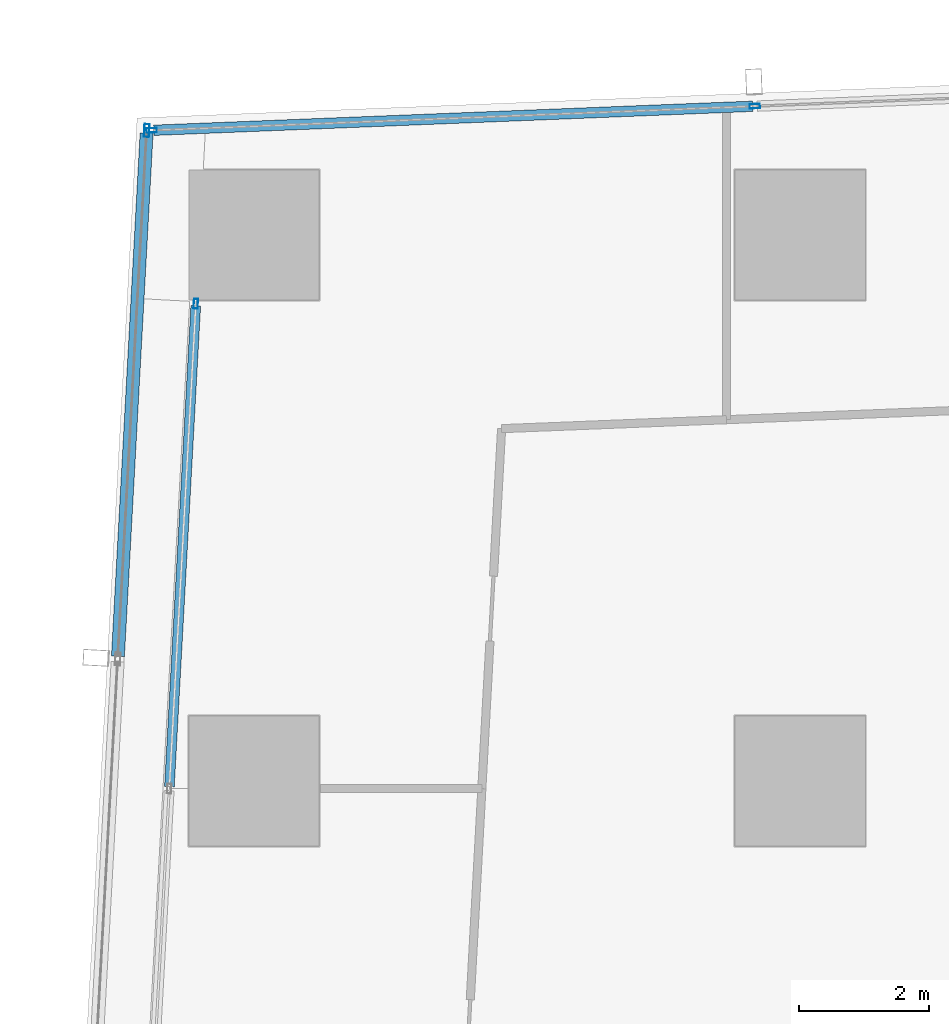
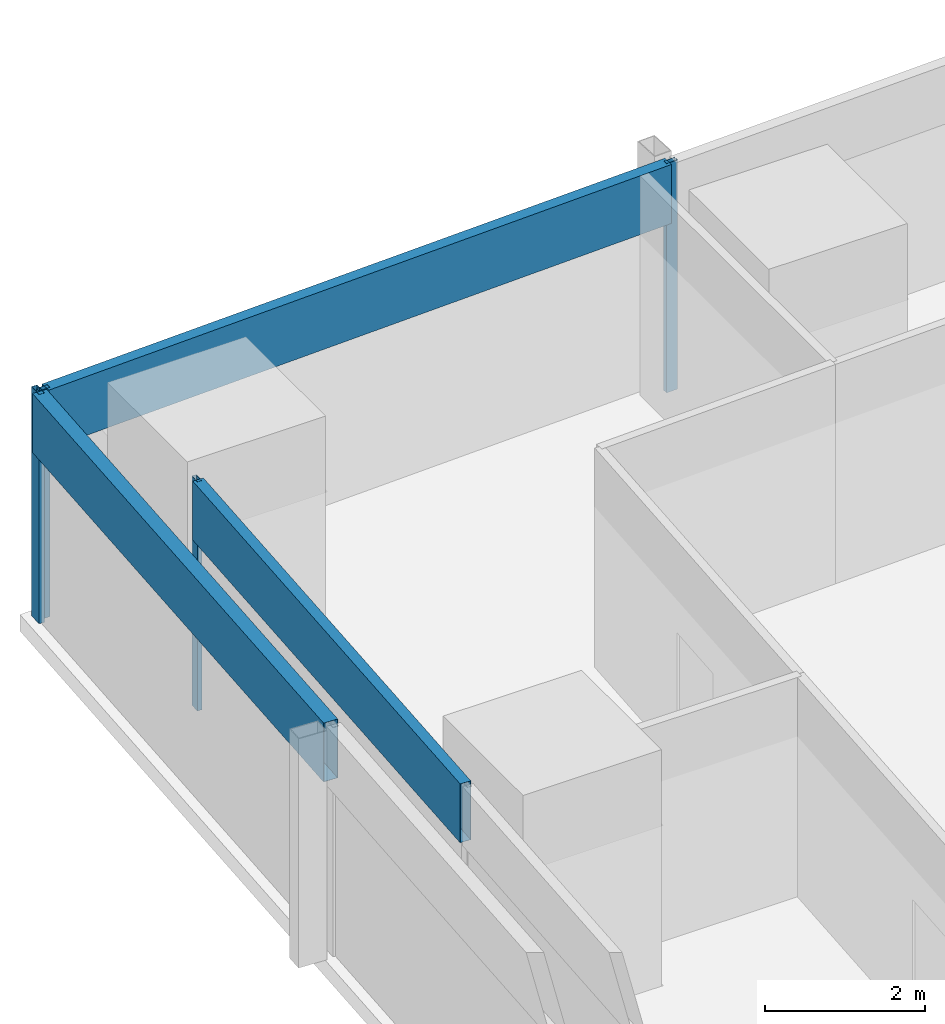
# One storey, part 15 of 39: 7 members, 3 elements without a shape of their own.
"""IFC4 building model written with IfcOpenShell, lengths in metres."""

from ifc_helpers import new_model, si_unit, direction, frame, origin, origin_2d, place, context, subcontext, project, spatial, hollow_rectangle, extrude, material, material_profile, profile_set, type_object, element, aggregate, save


model = new_model("IFC4")

# Units and contexts
model_context = context("Model", 3, precision=1e-05, world=origin(), true_north=direction((0.0, 1.0)))
body_context = subcontext(model_context, "Body", "Model", "MODEL_VIEW")
ifc_project = project(units=[si_unit("LENGTHUNIT", "METRE"), si_unit("AREAUNIT", "SQUARE_METRE"), si_unit("VOLUMEUNIT", "CUBIC_METRE"), si_unit("PLANEANGLEUNIT", "RADIAN"), si_unit("MASSUNIT", "GRAM", prefix="KILO")], contexts=[model_context])

# Site, building, storey
site_placement = place(None, origin())
site = spatial("IfcSite", under=ifc_project, at=site_placement, CompositionType="ELEMENT")
building_placement = place(site_placement, origin())
building = spatial("IfcBuilding", under=site, at=building_placement, Name="Rekha Terrace Tower", CompositionType="ELEMENT")
storey_placement = place(building_placement, frame((0.0, 0.0, 151.550048828125)))
storey = spatial("IfcBuildingStorey", under=building, at=storey_placement, Name="L38", CompositionType="ELEMENT", Elevation=151.550048828125)

# Curtain wall, members
ifc_material_1 = material(Name="Aluminium framing", Category="aluminium")
curtain_wall_type_1 = type_object("IfcCurtainWallType", Name="CW1 double skin inner glazing", PredefinedType="USERDEFINED", material=ifc_material_1)
curtain_wall_1_placement = place(storey_placement, origin())
curtain_wall_1 = element("IfcCurtainWall", 1, at=curtain_wall_1_placement, inside=storey, type_object=curtain_wall_type_1, Name="CW1 double skin inner glazing", ObjectType="DOUBLE SKIN INNER GLAZING", PredefinedType="USERDEFINED")
ifc_material_2 = material(Name="Aluminium mullion section", Category="aluminium")
ifc_material_profile_1 = material_profile(ifc_material_2, hollow_rectangle(XDim=0.06494140625, YDim=0.14990234375, WallThickness=0.00390625, at=origin_2d()), Name="AL RHS 65x150")
ifc_profile_set_1 = profile_set([ifc_material_profile_1], Name="Aluminium mullion section")
member_type_1 = type_object("IfcMemberType", Name="CW1 mullion RHS 65 x 150", PredefinedType="MULLION", material=ifc_profile_set_1)
member_1_placement = place(storey_placement, frame((7.5048828125, 57.742431640625, 0.0), z_axis=(0.0, 0.0, 1.0), x_axis=(0.99850051318, -0.054742352707, 0.0)))
member_1 = element("IfcMember", 2, at=member_1_placement, type_object=member_type_1, Name="CW1 mullion 1", PredefinedType="MULLION", context=body_context, shape_type="SweptSolid", body=[
    extrude(hollow_rectangle(XDim=0.06494140625, YDim=0.14990234375, WallThickness=0.00390625, at=origin_2d()), origin(), (0.0, 0.0, 1.0), 3.5),
])
ifc_material_3 = material(Name="Insulated aluminium spandrel box", Category="aluminium")
ifc_material_profile_2 = material_profile(ifc_material_3, hollow_rectangle(XDim=0.14990234375, YDim=0.89990234375, WallThickness=0.0029296875, at=origin_2d()), Name="AL SPANDREL BOX 150x900")
ifc_profile_set_2 = profile_set([ifc_material_profile_2], Name="Insulated aluminium spandrel box")
member_type_2 = type_object("IfcMemberType", Name="CW1 spandrel transom 150 x 900", PredefinedType="USERDEFINED", material=ifc_profile_set_2)
member_2_placement = place(storey_placement, frame((7.503173828125, 57.7099609375, 3.050048828125), z_axis=(-0.054735864287, -0.998500868883, 0.0), x_axis=(0.998500868883, -0.054735864287, 0.0)))
member_2 = element("IfcMember", 3, at=member_2_placement, type_object=member_type_2, Name="CW1 spandrel transom 1", ObjectType="TRANSOM", PredefinedType="USERDEFINED", context=body_context, shape_type="SweptSolid", body=[
    extrude(hollow_rectangle(XDim=0.14990234375, YDim=0.89990234375, WallThickness=0.0029296875, at=origin_2d()), origin(), (0.0, 0.0, 1.0), 7.404052734375),
])
aggregate(curtain_wall_1, [member_1, member_2])

curtain_wall_type_2 = type_object("IfcCurtainWallType", Name="CW2 double skin outer glazing", PredefinedType="USERDEFINED", material=ifc_material_1)
curtain_wall_2_placement = place(storey_placement, origin())
curtain_wall_2 = element("IfcCurtainWall", 4, at=curtain_wall_2_placement, inside=storey, type_object=curtain_wall_type_2, Name="CW2 double skin outer glazing", ObjectType="DOUBLE SKIN OUTER GLAZING", PredefinedType="USERDEFINED")
ifc_material_profile_3 = material_profile(ifc_material_2, hollow_rectangle(XDim=0.080078125, YDim=0.199951171875, WallThickness=0.00390625, at=origin_2d()), Name="AL RHS 80x200")
ifc_profile_set_3 = profile_set([ifc_material_profile_3], Name="Aluminium mullion section")
member_type_3 = type_object("IfcMemberType", Name="CW2 mullion RHS 80 x 200", PredefinedType="MULLION", material=ifc_profile_set_3)
member_3_placement = place(storey_placement, frame((6.74951171875, 60.406005859375, 0.0), z_axis=(0.0, 0.0, 1.0), x_axis=(0.99850051318, -0.054742352707, 0.0)))
member_3 = element("IfcMember", 5, at=member_3_placement, type_object=member_type_3, Name="CW2 mullion 1", PredefinedType="MULLION", context=body_context, shape_type="SweptSolid", body=[
    extrude(hollow_rectangle(XDim=0.080078125, YDim=0.199951171875, WallThickness=0.00390625, at=origin_2d()), origin(), (0.0, 0.0, 1.0), 3.5),
])
ifc_material_profile_4 = material_profile(ifc_material_3, hollow_rectangle(XDim=0.199951171875, YDim=0.89990234375, WallThickness=0.0029296875, at=origin_2d()), Name="AL SPANDREL BOX 200x900")
ifc_profile_set_4 = profile_set([ifc_material_profile_4], Name="Insulated aluminium spandrel box")
member_type_4 = type_object("IfcMemberType", Name="CW2 spandrel transom 200 x 900", PredefinedType="USERDEFINED", material=ifc_profile_set_4)
member_4_placement = place(storey_placement, frame((6.747314453125, 60.365966796875, 3.050048828125), z_axis=(-0.054735200093, -0.998500905293, 0.0), x_axis=(0.998500905293, -0.054735200093, 0.0)))
member_4 = element("IfcMember", 6, at=member_4_placement, type_object=member_type_4, Name="CW2 spandrel transom 1", ObjectType="TRANSOM", PredefinedType="USERDEFINED", context=body_context, shape_type="SweptSolid", body=[
    extrude(hollow_rectangle(XDim=0.199951171875, YDim=0.89990234375, WallThickness=0.0029296875, at=origin_2d()), origin(), (0.0, 0.0, 1.0), 8.059814453125),
])
aggregate(curtain_wall_2, [member_3, member_4])

curtain_wall_type_3 = type_object("IfcCurtainWallType", Name="CW3 north unitised glazing", PredefinedType="USERDEFINED", material=ifc_material_1)
curtain_wall_3_placement = place(storey_placement, origin())
curtain_wall_3 = element("IfcCurtainWall", 7, at=curtain_wall_3_placement, inside=storey, type_object=curtain_wall_type_3, Name="CW3 unitised curtain wall", ObjectType="UNITISED CURTAIN WALL", PredefinedType="USERDEFINED")
ifc_material_profile_5 = material_profile(ifc_material_2, hollow_rectangle(XDim=0.070068359375, YDim=0.159912109375, WallThickness=0.00390625, at=origin_2d()), Name="AL RHS 70x160")
ifc_profile_set_5 = profile_set([ifc_material_profile_5], Name="Aluminium mullion section")
member_type_5 = type_object("IfcMemberType", Name="CW3 mullion RHS 70 x 160", PredefinedType="MULLION", material=ifc_profile_set_5)
member_5_placement = place(storey_placement, frame((16.101806640625, 60.780517578125, 0.0), z_axis=(0.0, 0.0, 1.0), x_axis=(0.040031987119, -0.999198398721, 0.0)))
member_5 = element("IfcMember", 8, at=member_5_placement, type_object=member_type_5, Name="CW3 mullion 4", PredefinedType="MULLION", context=body_context, shape_type="SweptSolid", body=[
    extrude(hollow_rectangle(XDim=0.070068359375, YDim=0.159912109375, WallThickness=0.00390625, at=origin_2d()), origin(), (0.0, 0.0, 1.0), 3.5),
])
member_6_placement = place(storey_placement, frame((6.82470703125, 60.408935546875, 0.0), z_axis=(0.0, 0.0, 1.0), x_axis=(0.040031987119, -0.999198398721, 0.0)))
member_6 = element("IfcMember", 9, at=member_6_placement, type_object=member_type_5, Name="CW3 mullion 5", PredefinedType="MULLION", context=body_context, shape_type="SweptSolid", body=[
    extrude(hollow_rectangle(XDim=0.070068359375, YDim=0.159912109375, WallThickness=0.00390625, at=origin_2d()), origin(), (0.0, 0.0, 1.0), 3.5),
])
ifc_material_profile_6 = material_profile(ifc_material_3, hollow_rectangle(XDim=0.159912109375, YDim=0.89990234375, WallThickness=0.0029296875, at=origin_2d()), Name="AL SPANDREL BOX 160x900")
ifc_profile_set_6 = profile_set([ifc_material_profile_6], Name="Insulated aluminium spandrel box")
member_type_6 = type_object("IfcMemberType", Name="CW3 spandrel transom 160 x 900", PredefinedType="USERDEFINED", material=ifc_profile_set_6)
member_7_placement = place(storey_placement, frame((16.06689453125, 60.779052734375, 3.050048828125), z_axis=(-0.999198332483, -0.040033640399, 0.0), x_axis=(0.040033640399, -0.999198332483, 0.0)))
member_7 = element("IfcMember", 10, at=member_7_placement, type_object=member_type_6, Name="CW3 spandrel transom 4", ObjectType="TRANSOM", PredefinedType="USERDEFINED", context=body_context, shape_type="SweptSolid", body=[
    extrude(hollow_rectangle(XDim=0.159912109375, YDim=0.89990234375, WallThickness=0.0029296875, at=origin_2d()), origin(), (0.0, 0.0, 1.0), 9.214599609375),
])
aggregate(curtain_wall_3, [member_5, member_6, member_7])

save(model, "model.ifc")
